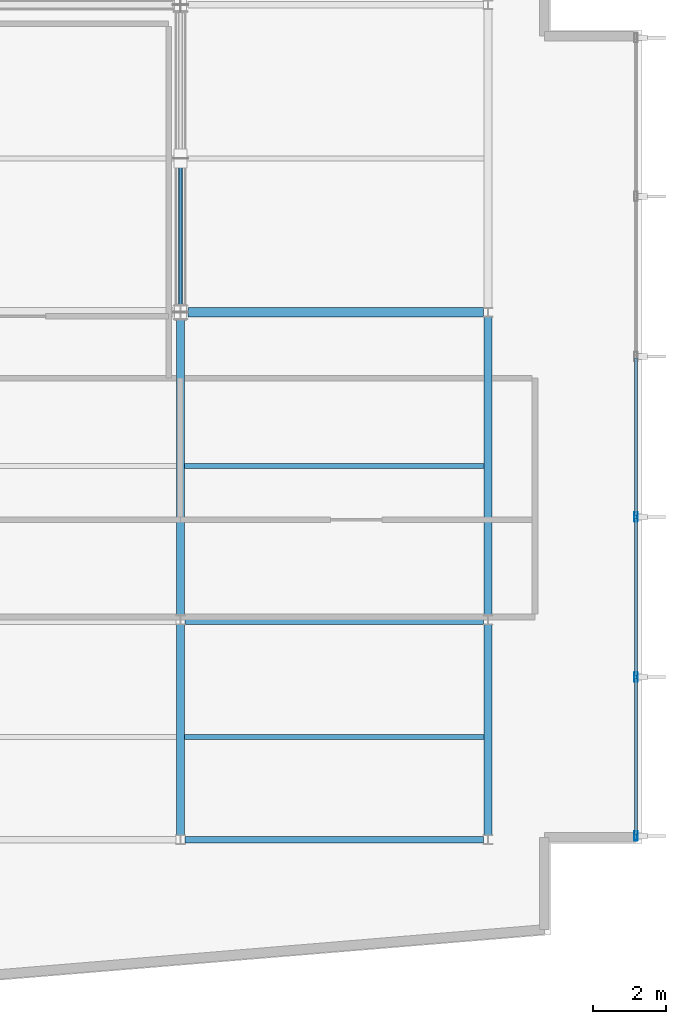
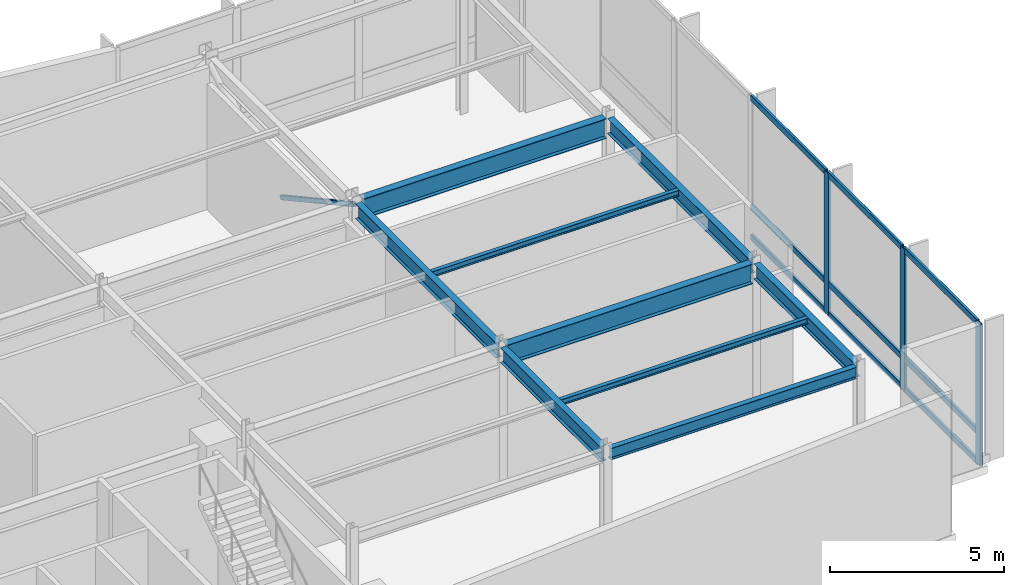
# One storey, part 6 of 15: 13 members, 9 beams, 1 element without a shape of its own.
"""IFC4 building model written with IfcOpenShell, lengths in metres."""

from ifc_helpers import new_model, si_unit, direction, frame, origin, origin_2d, place, context, subcontext, project, spatial, hollow_rectangle, i_section, extrude, material, layer, layer_set, material_profile, profile_set, type_object, element, aggregate, save


model = new_model("IFC4")

# Units and contexts
model_context = context("Model", 3, precision=1e-05, world=origin(), true_north=direction((0.0, 1.0)))
body_context = subcontext(model_context, "Body", "Model", "MODEL_VIEW")
ifc_project = project(units=[si_unit("LENGTHUNIT", "METRE"), si_unit("AREAUNIT", "SQUARE_METRE"), si_unit("VOLUMEUNIT", "CUBIC_METRE"), si_unit("PLANEANGLEUNIT", "RADIAN"), si_unit("MASSUNIT", "GRAM", prefix="KILO")], contexts=[model_context])

# Site, building, storey
site_placement = place(None, origin())
site = spatial("IfcSite", under=ifc_project, at=site_placement, CompositionType="ELEMENT")
building_placement = place(site_placement, origin())
building = spatial("IfcBuilding", under=site, at=building_placement, Name="Varnakote Quay Hospital", CompositionType="ELEMENT")
storey_placement = place(building_placement, frame((0.0, 0.0, 235.550048828125)))
storey = spatial("IfcBuildingStorey", under=building, at=storey_placement, Name="L58", CompositionType="ELEMENT", Elevation=235.550048828125)

# Beams
ifc_material_1 = material(Name="Structural steel AS/NZS 3679.1 Grade 350 L0 (fy 340 MPa)", Category="steel")
ifc_material_profile_1 = material_profile(ifc_material_1, i_section(OverallWidth=0.208984375, OverallDepth=0.528076171875, WebThickness=0.009521484375, FlangeThickness=0.01318359375, FilletRadius=0.013916015625, at=origin_2d()), Name="530UB82.0")
ifc_profile_set_1 = profile_set([ifc_material_profile_1], Name="Structural steel AS/NZS 3679.1 Grade 350 L0 (fy 340 MPa)")
beam_type_1 = type_object("IfcBeamType", Name="BM-STL-530UB82-0", PredefinedType="BEAM", material=ifc_profile_set_1)
beam_1_placement = place(storey_placement, frame((33.60009765625, 6.1298828125, 4.696044921875), z_axis=(0.0, 1.0, 0.0), x_axis=(-1.0, 0.0, 0.0)))
element("IfcBeam", 1, at=beam_1_placement, inside=storey, type_object=beam_type_1, Name="L58 Primary Tie Beam", PredefinedType="BEAM", context=body_context, shape_type="SweptSolid", body=[
    extrude(i_section(OverallWidth=0.208984375, OverallDepth=0.528076171875, WebThickness=0.009521484375, FlangeThickness=0.01318359375, FilletRadius=0.013916015625, at=origin_2d()), origin(), (0.0, 0.0, 1.0), 5.740234375),
])
beam_2_placement = place(storey_placement, frame((33.60009765625, 12.1298828125, 4.696044921875), z_axis=(0.0, 1.0, 0.0), x_axis=(-1.0, 0.0, 0.0)))
element("IfcBeam", 2, at=beam_2_placement, inside=storey, type_object=beam_type_1, Name="L58 Primary Tie Beam", PredefinedType="BEAM", context=body_context, shape_type="SweptSolid", body=[
    extrude(i_section(OverallWidth=0.208984375, OverallDepth=0.528076171875, WebThickness=0.009521484375, FlangeThickness=0.01318359375, FilletRadius=0.013916015625, at=origin_2d()), origin(), (0.0, 0.0, 1.0), 8.068115234375),
])
beam_3_placement = place(storey_placement, frame((42.0, 6.1298828125, 4.696044921875), z_axis=(0.0, 1.0, 0.0), x_axis=(-1.0, 0.0, 0.0)))
element("IfcBeam", 3, at=beam_3_placement, inside=storey, type_object=beam_type_1, Name="L58 Primary Tie Beam", PredefinedType="BEAM", context=body_context, shape_type="SweptSolid", body=[
    extrude(i_section(OverallWidth=0.208984375, OverallDepth=0.528076171875, WebThickness=0.009521484375, FlangeThickness=0.01318359375, FilletRadius=0.013916015625, at=origin_2d()), origin(), (0.0, 0.0, 1.0), 5.740234375),
])
beam_4_placement = place(storey_placement, frame((42.0, 12.1298828125, 4.696044921875), z_axis=(0.0, 1.0, 0.0), x_axis=(-1.0, 0.0, 0.0)))
element("IfcBeam", 4, at=beam_4_placement, inside=storey, type_object=beam_type_1, Name="L58 Primary Tie Beam", PredefinedType="BEAM", context=body_context, shape_type="SweptSolid", body=[
    extrude(i_section(OverallWidth=0.208984375, OverallDepth=0.528076171875, WebThickness=0.009521484375, FlangeThickness=0.01318359375, FilletRadius=0.013916015625, at=origin_2d()), origin(), (0.0, 0.0, 1.0), 8.14013671875),
])
ifc_material_2 = material(Name="Structural steel AS/NZS 3678 Grade 350 (fy 340 MPa)", Category="steel")
ifc_material_profile_2 = material_profile(ifc_material_2, i_section(OverallWidth=0.25, OverallDepth=0.699951171875, WebThickness=0.010009765625, FlangeThickness=0.02001953125, at=origin_2d()), Name="700WB130")
ifc_profile_set_2 = profile_set([ifc_material_profile_2], Name="Structural steel AS/NZS 3678 Grade 350 (fy 340 MPa)")
beam_type_2 = type_object("IfcBeamType", Name="BM-STL-700WB130", PredefinedType="BEAM", material=ifc_profile_set_2)
beam_5_placement = place(storey_placement, frame((33.72802734375, 12.0, 4.60986328125), z_axis=(1.0, 0.0, 0.0), x_axis=(0.0, 1.0, 0.0)))
element("IfcBeam", 5, at=beam_5_placement, inside=storey, type_object=beam_type_2, Name="L58 Primary Floor Beam", PredefinedType="BEAM", context=body_context, shape_type="SweptSolid", body=[
    extrude(i_section(OverallWidth=0.25, OverallDepth=0.699951171875, WebThickness=0.010009765625, FlangeThickness=0.02001953125, at=origin_2d()), origin(), (0.0, 0.0, 1.0), 8.14404296875),
])
beam_6_placement = place(storey_placement, frame((33.800048828125, 20.39990234375, 4.60986328125), z_axis=(1.0, 0.0, 0.0), x_axis=(0.0, 1.0, 0.0)))
element("IfcBeam", 6, at=beam_6_placement, inside=storey, type_object=beam_type_2, Name="L58 Primary Floor Beam", PredefinedType="BEAM", context=body_context, shape_type="SweptSolid", body=[
    extrude(i_section(OverallWidth=0.25, OverallDepth=0.699951171875, WebThickness=0.010009765625, FlangeThickness=0.02001953125, at=origin_2d()), origin(), (0.0, 0.0, 1.0), 8.072021484375),
])

# Curtain wall, members
ifc_material_3 = material(Name="Anodised aluminium 6063-T6 Bronze", Category="aluminium")
ifc_layer = layer(ifc_material_3, 0.25)
ifc_layer_set = layer_set([ifc_layer], Name="Anodised aluminium 6063-T6 Bronze")
curtain_wall_type = type_object("IfcCurtainWallType", Name="CW-SYS-6", PredefinedType="NOTDEFINED", material=ifc_layer_set)
curtain_wall_placement = place(storey_placement, origin())
curtain_wall = element("IfcCurtainWall", 7, at=curtain_wall_placement, inside=storey, type_object=curtain_wall_type, Name="L58 Unitised Bronze Curtain Wall 1", PredefinedType="NOTDEFINED")
ifc_material_4 = material(Name="Anodised aluminium 6063-T6 Bronze", Category="aluminium")
ifc_material_profile_3 = material_profile(ifc_material_4, hollow_rectangle(XDim=0.0849609375, YDim=0.260009765625, WallThickness=0.0048828125, InnerFilletRadius=0.0048828125, OuterFilletRadius=0.010009765625, at=origin_2d()), Name="CW-MULL-260x85")
ifc_profile_set_3 = profile_set([ifc_material_profile_3], Name="Anodised aluminium 6063-T6 Bronze")
member_type_1 = type_object("IfcMemberType", Name="CW-MULL-260x85", PredefinedType="MULLION", material=ifc_profile_set_3)
member_1_placement = place(storey_placement, frame((46.0400390625, 6.1025390625, 0.0), z_axis=(0.0, 0.0, 1.0), x_axis=(-1.0, 0.0, 0.0)))
member_1 = element("IfcMember", 8, at=member_1_placement, type_object=member_type_1, Name="-6-L58-1 mullion 1", PredefinedType="MULLION", context=body_context, shape_type="SweptSolid", body=[
    extrude(hollow_rectangle(XDim=0.0849609375, YDim=0.260009765625, WallThickness=0.0048828125, InnerFilletRadius=0.0048828125, OuterFilletRadius=0.010009765625, at=origin_2d()), origin(), (0.0, 0.0, 1.0), 4.9599609375),
])
member_2_placement = place(storey_placement, frame((46.0400390625, 10.43603515625, 0.0), z_axis=(0.0, 0.0, 1.0), x_axis=(-1.0, 0.0, 0.0)))
member_2 = element("IfcMember", 9, at=member_2_placement, type_object=member_type_1, Name="-6-L58-1 mullion 2", PredefinedType="MULLION", context=body_context, shape_type="SweptSolid", body=[
    extrude(hollow_rectangle(XDim=0.0849609375, YDim=0.260009765625, WallThickness=0.0048828125, InnerFilletRadius=0.0048828125, OuterFilletRadius=0.010009765625, at=origin_2d()), origin(), (0.0, 0.0, 1.0), 4.9599609375),
])
member_3_placement = place(storey_placement, frame((46.0400390625, 14.81201171875, 0.0), z_axis=(0.0, 0.0, 1.0), x_axis=(-1.0, 0.0, 0.0)))
member_3 = element("IfcMember", 10, at=member_3_placement, type_object=member_type_1, Name="-6-L58-1 mullion 3", PredefinedType="MULLION", context=body_context, shape_type="SweptSolid", body=[
    extrude(hollow_rectangle(XDim=0.0849609375, YDim=0.260009765625, WallThickness=0.0048828125, InnerFilletRadius=0.0048828125, OuterFilletRadius=0.010009765625, at=origin_2d()), origin(), (0.0, 0.0, 1.0), 4.9599609375),
])
ifc_material_5 = material(Name="Anodised aluminium 6063-T6 Bronze", Category="aluminium")
ifc_material_profile_4 = material_profile(ifc_material_5, hollow_rectangle(XDim=0.0849609375, YDim=0.2099609375, WallThickness=0.00439453125, InnerFilletRadius=0.00439453125, OuterFilletRadius=0.009033203125, at=origin_2d()), Name="CW-TRAN-210x85")
ifc_profile_set_4 = profile_set([ifc_material_profile_4], Name="Anodised aluminium 6063-T6 Bronze")
member_type_2 = type_object("IfcMemberType", Name="CW-TRAN-210x85", PredefinedType="USERDEFINED", material=ifc_profile_set_4)
member_4_placement = place(storey_placement, frame((46.0400390625, 6.14501953125, 0.04248046875), z_axis=(0.0, 1.0, 0.0), x_axis=(-1.0, 0.0, 0.0)))
member_4 = element("IfcMember", 11, at=member_4_placement, type_object=member_type_2, Name="-6-L58-1 transom 1.1", ObjectType="TRANSOM", PredefinedType="USERDEFINED", context=body_context, shape_type="SweptSolid", body=[
    extrude(hollow_rectangle(XDim=0.0849609375, YDim=0.2099609375, WallThickness=0.00439453125, InnerFilletRadius=0.00439453125, OuterFilletRadius=0.009033203125, at=origin_2d()), origin(), (0.0, 0.0, 1.0), 4.24853515625),
])
member_5_placement = place(storey_placement, frame((46.0400390625, 6.14501953125, 1.099853515625), z_axis=(0.0, 1.0, 0.0), x_axis=(-1.0, 0.0, 0.0)))
member_5 = element("IfcMember", 12, at=member_5_placement, type_object=member_type_2, Name="-6-L58-1 transom 1.2", ObjectType="TRANSOM", PredefinedType="USERDEFINED", context=body_context, shape_type="SweptSolid", body=[
    extrude(hollow_rectangle(XDim=0.0849609375, YDim=0.2099609375, WallThickness=0.00439453125, InnerFilletRadius=0.00439453125, OuterFilletRadius=0.009033203125, at=origin_2d()), origin(), (0.0, 0.0, 1.0), 4.24853515625),
])
member_6_placement = place(storey_placement, frame((46.0400390625, 6.14501953125, 4.91748046875), z_axis=(0.0, 1.0, 0.0), x_axis=(-1.0, 0.0, 0.0)))
member_6 = element("IfcMember", 13, at=member_6_placement, type_object=member_type_2, Name="-6-L58-1 transom 1.3", ObjectType="TRANSOM", PredefinedType="USERDEFINED", context=body_context, shape_type="SweptSolid", body=[
    extrude(hollow_rectangle(XDim=0.0849609375, YDim=0.2099609375, WallThickness=0.00439453125, InnerFilletRadius=0.00439453125, OuterFilletRadius=0.009033203125, at=origin_2d()), origin(), (0.0, 0.0, 1.0), 4.24853515625),
])
member_7_placement = place(storey_placement, frame((46.0400390625, 10.478515625, 0.04248046875), z_axis=(0.0, 1.0, 0.0), x_axis=(-1.0, 0.0, 0.0)))
member_7 = element("IfcMember", 14, at=member_7_placement, type_object=member_type_2, Name="-6-L58-1 transom 2.1", ObjectType="TRANSOM", PredefinedType="USERDEFINED", context=body_context, shape_type="SweptSolid", body=[
    extrude(hollow_rectangle(XDim=0.0849609375, YDim=0.2099609375, WallThickness=0.00439453125, InnerFilletRadius=0.00439453125, OuterFilletRadius=0.009033203125, at=origin_2d()), origin(), (0.0, 0.0, 1.0), 4.291015625),
])
member_8_placement = place(storey_placement, frame((46.0400390625, 10.478515625, 1.099853515625), z_axis=(0.0, 1.0, 0.0), x_axis=(-1.0, 0.0, 0.0)))
member_8 = element("IfcMember", 15, at=member_8_placement, type_object=member_type_2, Name="-6-L58-1 transom 2.2", ObjectType="TRANSOM", PredefinedType="USERDEFINED", context=body_context, shape_type="SweptSolid", body=[
    extrude(hollow_rectangle(XDim=0.0849609375, YDim=0.2099609375, WallThickness=0.00439453125, InnerFilletRadius=0.00439453125, OuterFilletRadius=0.009033203125, at=origin_2d()), origin(), (0.0, 0.0, 1.0), 4.291015625),
])
member_9_placement = place(storey_placement, frame((46.0400390625, 10.478515625, 4.91748046875), z_axis=(0.0, 1.0, 0.0), x_axis=(-1.0, 0.0, 0.0)))
member_9 = element("IfcMember", 16, at=member_9_placement, type_object=member_type_2, Name="-6-L58-1 transom 2.3", ObjectType="TRANSOM", PredefinedType="USERDEFINED", context=body_context, shape_type="SweptSolid", body=[
    extrude(hollow_rectangle(XDim=0.0849609375, YDim=0.2099609375, WallThickness=0.00439453125, InnerFilletRadius=0.00439453125, OuterFilletRadius=0.009033203125, at=origin_2d()), origin(), (0.0, 0.0, 1.0), 4.291015625),
])
member_10_placement = place(storey_placement, frame((46.0400390625, 14.8544921875, 0.04248046875), z_axis=(0.0, 1.0, 0.0), x_axis=(-1.0, 0.0, 0.0)))
member_10 = element("IfcMember", 17, at=member_10_placement, type_object=member_type_2, Name="-6-L58-1 transom 3.1", ObjectType="TRANSOM", PredefinedType="USERDEFINED", context=body_context, shape_type="SweptSolid", body=[
    extrude(hollow_rectangle(XDim=0.0849609375, YDim=0.2099609375, WallThickness=0.00439453125, InnerFilletRadius=0.00439453125, OuterFilletRadius=0.009033203125, at=origin_2d()), origin(), (0.0, 0.0, 1.0), 4.291015625),
])
member_11_placement = place(storey_placement, frame((46.0400390625, 14.8544921875, 1.099853515625), z_axis=(0.0, 1.0, 0.0), x_axis=(-1.0, 0.0, 0.0)))
member_11 = element("IfcMember", 18, at=member_11_placement, type_object=member_type_2, Name="-6-L58-1 transom 3.2", ObjectType="TRANSOM", PredefinedType="USERDEFINED", context=body_context, shape_type="SweptSolid", body=[
    extrude(hollow_rectangle(XDim=0.0849609375, YDim=0.2099609375, WallThickness=0.00439453125, InnerFilletRadius=0.00439453125, OuterFilletRadius=0.009033203125, at=origin_2d()), origin(), (0.0, 0.0, 1.0), 4.291015625),
])
member_12_placement = place(storey_placement, frame((46.0400390625, 14.8544921875, 4.91748046875), z_axis=(0.0, 1.0, 0.0), x_axis=(-1.0, 0.0, 0.0)))
member_12 = element("IfcMember", 19, at=member_12_placement, type_object=member_type_2, Name="-6-L58-1 transom 3.3", ObjectType="TRANSOM", PredefinedType="USERDEFINED", context=body_context, shape_type="SweptSolid", body=[
    extrude(hollow_rectangle(XDim=0.0849609375, YDim=0.2099609375, WallThickness=0.00439453125, InnerFilletRadius=0.00439453125, OuterFilletRadius=0.009033203125, at=origin_2d()), origin(), (0.0, 0.0, 1.0), 4.291015625),
])
aggregate(curtain_wall, [member_1, member_2, member_3, member_4, member_5, member_6, member_7, member_8, member_9, member_10, member_11, member_12])

# Beams
ifc_material_6 = material(Name="Structural steel AS/NZS 3679.1 Grade 350 L0 (fy 340 MPa)", Category="steel")
ifc_material_profile_5 = material_profile(ifc_material_6, i_section(OverallWidth=0.134033203125, OverallDepth=0.20703125, WebThickness=0.00634765625, FlangeThickness=0.009521484375, FilletRadius=0.0087890625, at=origin_2d()), Name="200UB29.8")
ifc_profile_set_5 = profile_set([ifc_material_profile_5], Name="Structural steel AS/NZS 3679.1 Grade 350 L0 (fy 340 MPa)")
beam_type_3 = type_object("IfcBeamType", Name="JST-STL-200UB29-8", PredefinedType="JOIST", material=ifc_profile_set_5)
for number, where, z_axis, x_axis, name in (
    (20, (33.70458984375, 8.800048828125, 4.8564453125), (1.0, 0.0, 0.0), (0.0, 1.0, 0.0), "L58 Composite Floor Joist"),
    (21, (33.70458984375, 16.199951171875, 4.8564453125), (1.0, 0.0, 0.0), (0.0, 1.0, 0.0), "L58 Composite Floor Joist"),
):
    element("IfcBeam", number, at=place(storey_placement, frame(where, z_axis=z_axis, x_axis=x_axis)), inside=storey, type_object=beam_type_3, Name=name, PredefinedType="JOIST", context=body_context, shape_type="SweptSolid", body=[
        extrude(i_section(OverallWidth=0.134033203125, OverallDepth=0.20703125, WebThickness=0.00634765625, FlangeThickness=0.009521484375, FilletRadius=0.0087890625, at=origin_2d()), origin(), (0.0, 0.0, 1.0), 8.19091796875),
    ])

# Member
ifc_material_7 = material(Name="Structural steel AS/NZS 1163 Grade 350 C350L0 (fy 350 MPa)", Category="steel")
ifc_material_profile_6 = material_profile(ifc_material_7, hollow_rectangle(XDim=0.10009765625, YDim=0.14990234375, WallThickness=0.006103515625, InnerFilletRadius=0.006103515625, OuterFilletRadius=0.011962890625, at=origin_2d()), Name="150x100x6.0RHS")
ifc_profile_set_6 = profile_set([ifc_material_profile_6], Name="Structural steel AS/NZS 1163 Grade 350 C350L0 (fy 350 MPa)")
member_type_3 = type_object("IfcMemberType", Name="MBR-PST-150x100x6-0RHS", PredefinedType="POST", material=ifc_profile_set_6)
member_13_placement = place(storey_placement, frame((33.60009765625, 24.60009765625, 2.47998046875), z_axis=(0.0, -0.877101381597, 0.480305284586), x_axis=(1.0, 0.0, 0.0)))
element("IfcMember", 22, at=member_13_placement, inside=storey, type_object=member_type_3, Name="L58 Outrigger Truss Split Upper Counter Brace", PredefinedType="POST", context=body_context, shape_type="SweptSolid", body=[
    extrude(hollow_rectangle(XDim=0.10009765625, YDim=0.14990234375, WallThickness=0.006103515625, InnerFilletRadius=0.006103515625, OuterFilletRadius=0.011962890625, at=origin_2d()), origin(), (0.0, 0.0, 1.0), 4.788818359375),
])

# Beam
ifc_material_8 = material(Name="Structural steel AS/NZS 3679.1 Grade 350 L0 (fy 340 MPa)", Category="steel")
ifc_material_profile_7 = material_profile(ifc_material_8, i_section(OverallWidth=0.177978515625, OverallDepth=0.406005859375, WebThickness=0.0078125, FlangeThickness=0.0126953125, FilletRadius=0.011474609375, at=origin_2d()), Name="410UB59.7")
ifc_profile_set_7 = profile_set([ifc_material_profile_7], Name="Structural steel AS/NZS 3679.1 Grade 350 L0 (fy 340 MPa)")
beam_type_4 = type_object("IfcBeamType", Name="SPN-STL-410UB59-7", PredefinedType="SPANDREL", material=ifc_profile_set_7)
beam_7_placement = place(storey_placement, frame((33.72802734375, 6.0, 4.7568359375), z_axis=(1.0, 0.0, 0.0), x_axis=(0.0, 1.0, 0.0)))
element("IfcBeam", 23, at=beam_7_placement, inside=storey, type_object=beam_type_4, Name="L58 Perimeter Spandrel Beam", PredefinedType="SPANDREL", context=body_context, shape_type="SweptSolid", body=[
    extrude(i_section(OverallWidth=0.177978515625, OverallDepth=0.406005859375, WebThickness=0.0078125, FlangeThickness=0.0126953125, FilletRadius=0.011474609375, at=origin_2d()), origin(), (0.0, 0.0, 1.0), 8.14404296875),
])

save(model, "model.ifc")
